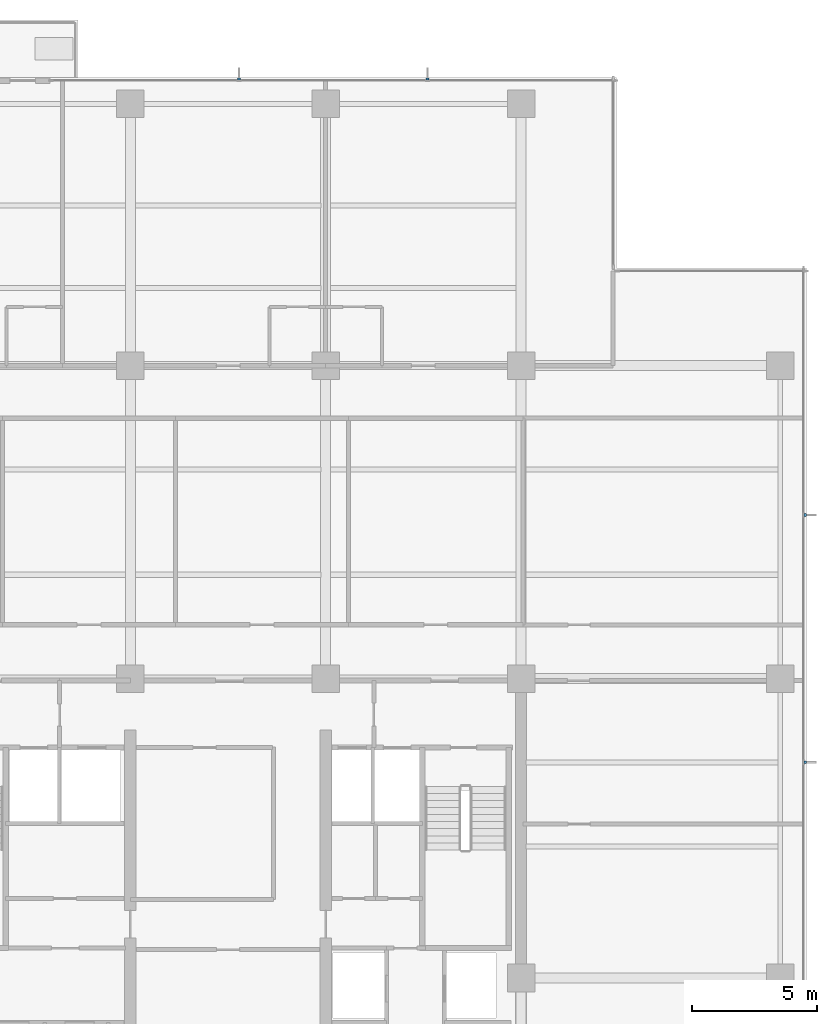
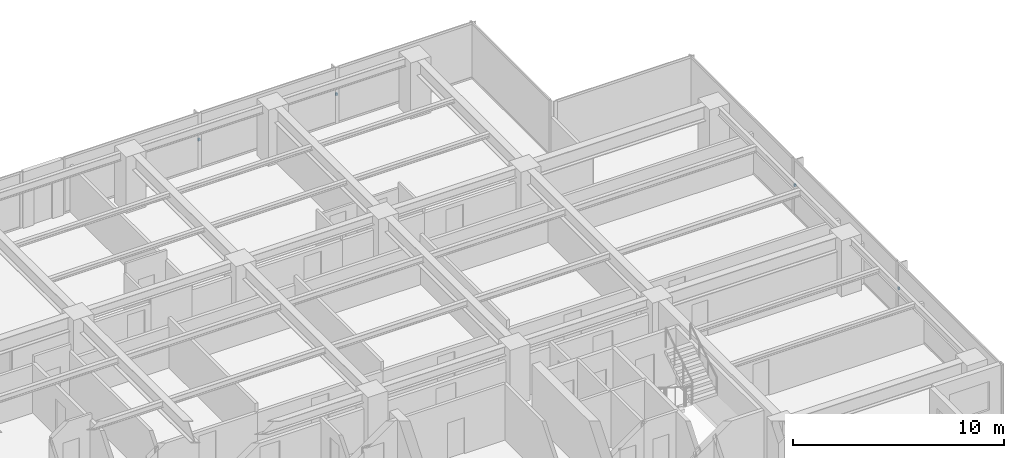
# One storey, part 12 of 14: 4 discrete accessories.
"""IFC4 building model written with IfcOpenShell, lengths in metres."""

from ifc_helpers import new_model, si_unit, direction, frame, origin, place, context, subcontext, project, spatial, polyline, outline, extrude, material, type_object, element, save


model = new_model("IFC4")

# Units and contexts
model_context = context("Model", 3, precision=1e-05, world=origin(), true_north=direction((0.0, 1.0)))
body_context = subcontext(model_context, "Body", "Model", "MODEL_VIEW")
ifc_project = project(units=[si_unit("LENGTHUNIT", "METRE"), si_unit("AREAUNIT", "SQUARE_METRE"), si_unit("VOLUMEUNIT", "CUBIC_METRE"), si_unit("PLANEANGLEUNIT", "RADIAN"), si_unit("MASSUNIT", "GRAM", prefix="KILO")], contexts=[model_context])

# Site, building, storey
site_placement = place(None, origin())
site = spatial("IfcSite", under=ifc_project, at=site_placement, CompositionType="ELEMENT")
building_placement = place(site_placement, origin())
building = spatial("IfcBuilding", under=site, at=building_placement, Name="Qalmaran Belvedere Hotel", CompositionType="ELEMENT")
storey_placement = place(building_placement, frame((0.0, 0.0, 166.60009765625)))
storey = spatial("IfcBuildingStorey", under=building, at=storey_placement, Name="L42", CompositionType="ELEMENT", Elevation=166.60009765625)

# Discrete accessories
ifc_material = material(Name="Stainless Steel 1.4401", Category="steel")
discrete_accessory_type = type_object("IfcDiscreteAccessoryType", Name="BRK-FIN-SS316", PredefinedType="BRACKET", material=ifc_material)
discrete_accessory_1_placement = place(storey_placement, frame((0.0, 0.0, 1.574951171875)))
element("IfcDiscreteAccessory", 1, at=discrete_accessory_1_placement, inside=storey, type_object=discrete_accessory_type, Name="L42 Fin Bracket 1", PredefinedType="BRACKET", context=body_context, shape_type="SweptSolid", body=[
    extrude(outline(polyline([(56.094970703125, 17.11181640625), (56.18994140625, 17.11181640625), (56.18994140625, 17.2216796875), (56.094970703125, 17.2216796875), (56.094970703125, 17.11181640625)])), origin(), (0.0, 0.0, 1.0), 0.139892578125),
])
discrete_accessory_2_placement = place(storey_placement, frame((0.0, 0.0, 1.574951171875)))
element("IfcDiscreteAccessory", 2, at=discrete_accessory_2_placement, inside=storey, type_object=discrete_accessory_type, Name="L42 Fin Bracket 2", PredefinedType="BRACKET", context=body_context, shape_type="SweptSolid", body=[
    extrude(outline(polyline([(56.094970703125, 26.978271484375), (56.18994140625, 26.978271484375), (56.18994140625, 27.08837890625), (56.094970703125, 27.08837890625), (56.094970703125, 26.978271484375)])), origin(), (0.0, 0.0, 1.0), 0.139892578125),
])
discrete_accessory_3_placement = place(storey_placement, frame((0.0, 0.0, 1.574951171875)))
element("IfcDiscreteAccessory", 3, at=discrete_accessory_3_placement, inside=storey, type_object=discrete_accessory_type, Name="L42 Fin Bracket 1", PredefinedType="BRACKET", context=body_context, shape_type="SweptSolid", body=[
    extrude(outline(polyline([(41.12158203125, 44.39501953125), (41.12158203125, 44.489990234375), (41.01171875, 44.489990234375), (41.01171875, 44.39501953125), (41.12158203125, 44.39501953125)])), origin(), (0.0, 0.0, 1.0), 0.139892578125),
])
discrete_accessory_4_placement = place(storey_placement, frame((0.0, 0.0, 1.574951171875)))
element("IfcDiscreteAccessory", 4, at=discrete_accessory_4_placement, inside=storey, type_object=discrete_accessory_type, Name="L42 Fin Bracket 2", PredefinedType="BRACKET", context=body_context, shape_type="SweptSolid", body=[
    extrude(outline(polyline([(33.58837890625, 44.39501953125), (33.58837890625, 44.489990234375), (33.478271484375, 44.489990234375), (33.478271484375, 44.39501953125), (33.58837890625, 44.39501953125)])), origin(), (0.0, 0.0, 1.0), 0.139892578125),
])

save(model, "model.ifc")
